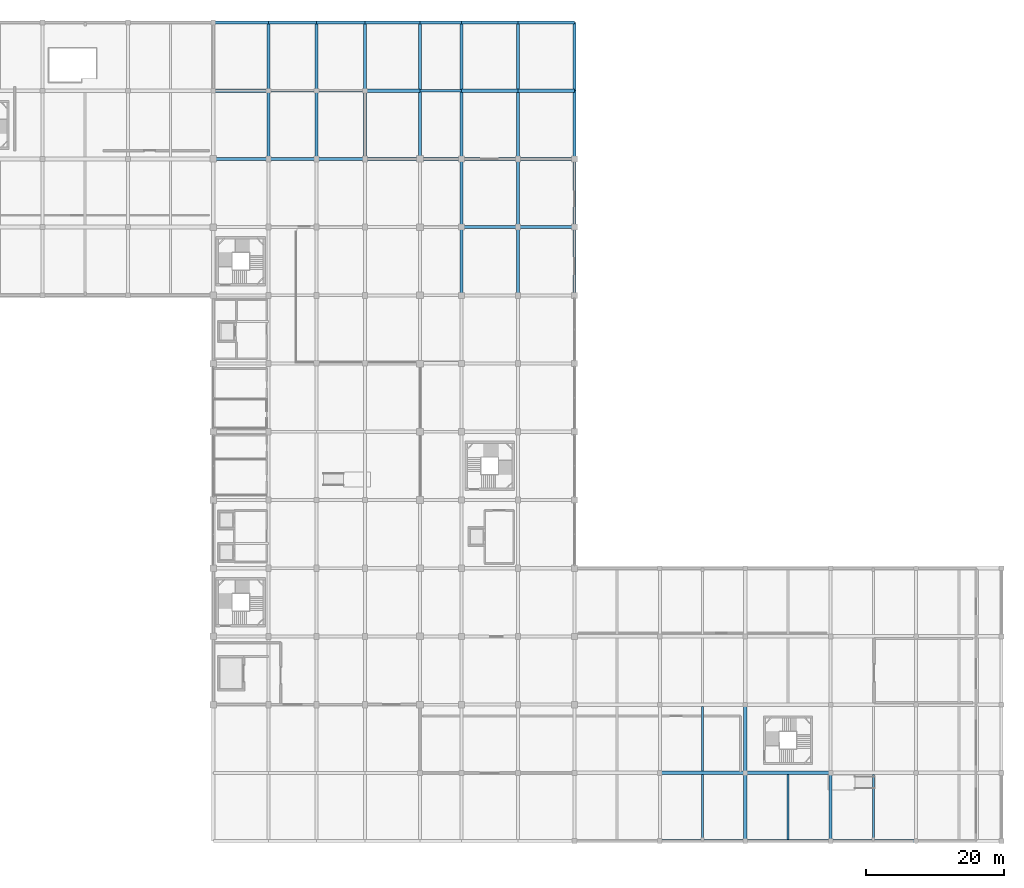
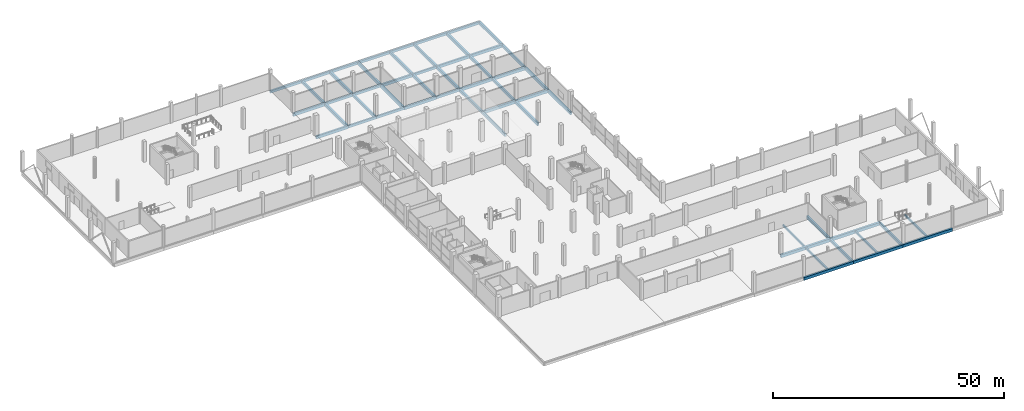
# One storey, part 17 of 50: 55 beams.
"""IFC4 building model written with IfcOpenShell, lengths in metres."""

import ifcopenshell
import ifcopenshell.guid

model = None  # the IFC model being written
_history = None  # IfcOwnerHistory: only IFC2X3 demands one
_inside = {}  # id of a spatial element -> (the spatial element, [elements in it])
_under = {}  # id of a project, library or spatial element -> (it, [spatial elements below it])
_declared = {}  # id of a project -> (the project, [libraries it declares])
_typed = {}  # id of a type object -> (the type object, [elements of that type])
_made_of = {}  # id of a material, layer set ... -> (it, [elements and type objects made of it])


def new_model(schema):
    """Start an empty IFC model of exactly this schema.

    Asked for "IFC4X3", IfcOpenShell would pick the latest addendum, in which some entities
    have other attributes; the version numbers below select the first issue.
    IFC2X3 requires an IfcOwnerHistory on every rooted entity: one is made here for all.
    """
    global model, _history
    if schema == "IFC4X3":
        model = ifcopenshell.file(schema_version=(4, 3, 0, 0))
    else:
        model = ifcopenshell.file(schema=schema)
    _inside.clear()
    _under.clear()
    _declared.clear()
    _typed.clear()
    _made_of.clear()
    _history = None
    if model.schema == "IFC2X3":
        org = make("IfcOrganization", Name="unknown")
        user = make(
            "IfcPersonAndOrganization",
            ThePerson=make("IfcPerson", FamilyName="unknown"),
            TheOrganization=org,
        )
        app = make(
            "IfcApplication",
            ApplicationDeveloper=org,
            Version="unknown",
            ApplicationFullName="unknown",
            ApplicationIdentifier="unknown",
        )
        _history = make(
            "IfcOwnerHistory",
            OwningUser=user,
            OwningApplication=app,
            ChangeAction="ADDED",
            CreationDate=0,
        )
    return model


def make(cls, **values):
    """One entity of the class cls with the attributes given. An attribute that is None is left unset."""
    return model.create_entity(
        cls, **{name: value for name, value in values.items() if value is not None}
    )


def rooted(cls, **values):
    """An entity with a GlobalId (a new one), such as an element, a storey or a relation."""
    return make(cls, GlobalId=ifcopenshell.guid.new(), OwnerHistory=_history, **values)


def si_unit(unit_type, name, prefix=None):
    """IfcSIUnit, for example si_unit("LENGTHUNIT", "METRE", prefix="MILLI")."""
    return make("IfcSIUnit", UnitType=unit_type, Prefix=prefix, Name=name)


def assignment(units):
    """IfcUnitAssignment: the units of a project."""
    return None if units is None else make("IfcUnitAssignment", Units=units)


def point(xyz):
    """IfcCartesianPoint."""
    return None if xyz is None else make("IfcCartesianPoint", Coordinates=xyz)


def direction(xyz):
    """IfcDirection."""
    return None if xyz is None else make("IfcDirection", DirectionRatios=xyz)


def frame(location, z_axis=None, x_axis=None):
    """IfcAxis2Placement3D, a coordinate frame: its origin and axes. An axis left out is left unset."""
    return make(
        "IfcAxis2Placement3D",
        Location=point(location),
        Axis=direction(z_axis),
        RefDirection=direction(x_axis),
    )


def frame_2d(location, x_axis=None):
    """IfcAxis2Placement2D, a coordinate frame in the plane: its origin and x axis."""
    return make(
        "IfcAxis2Placement2D", Location=point(location), RefDirection=direction(x_axis)
    )


def origin():
    """The frame at (0, 0, 0) with its axes left unset."""
    return frame((0.0, 0.0, 0.0))


def origin_2d():
    """The frame at (0, 0) in the plane with its x axis left unset."""
    return frame_2d((0.0, 0.0))


def place(relative_to, where):
    """IfcLocalPlacement: puts the frame where relative to a parent placement (None: the world)."""
    return make(
        "IfcLocalPlacement", PlacementRelTo=relative_to, RelativePlacement=where
    )


def context(
    kind, dimensions, precision=None, world=None, true_north=None, identifier=None
):
    """IfcGeometricRepresentationContext, for example the 3D "Model" context."""
    return make(
        "IfcGeometricRepresentationContext",
        ContextIdentifier=identifier,
        ContextType=kind,
        CoordinateSpaceDimension=dimensions,
        Precision=precision,
        WorldCoordinateSystem=world,
        TrueNorth=true_north,
    )


def subcontext(parent, identifier, kind, view, scale=None):
    """IfcGeometricRepresentationSubContext, for example "Body" below "Model"."""
    return make(
        "IfcGeometricRepresentationSubContext",
        ContextIdentifier=identifier,
        ContextType=kind,
        ParentContext=parent,
        TargetScale=scale,
        TargetView=view,
    )


def project(units=None, contexts=None):
    """IfcProject with its units and contexts."""
    return rooted(
        "IfcProject",
        Name="project",
        RepresentationContexts=contexts,
        UnitsInContext=assignment(units),
    )


def spatial(cls, under=None, at=None, **own):
    """A site, building, storey or space (cls), placed at a placement, below another one or the project."""
    s = rooted(cls, ObjectPlacement=at, **own)
    if under is not None:
        _under.setdefault(under.id(), (under, []))[1].append(s)
    return s


def profile(cls, at=None, kind="AREA", **sizes):
    """A parametric profile (cls). Its sizes go by their IFC names, for example OverallWidth=200.0."""
    return make(cls, ProfileType=kind, Position=at, **sizes)


def rectangle(**sizes):
    """IfcRectangleProfileDef."""
    return profile("IfcRectangleProfileDef", **sizes)


def extrude(swept, where, along, depth):
    """IfcExtrudedAreaSolid: the profile swept, set in the frame where, extruded along a direction by depth."""
    return make(
        "IfcExtrudedAreaSolid",
        SweptArea=swept,
        Position=where,
        ExtrudedDirection=direction(along),
        Depth=depth,
    )


def shape(context_of_items, identifier, shape_type, items):
    """IfcShapeRepresentation: the items that make up one representation, for example the "Body"."""
    return make(
        "IfcShapeRepresentation",
        ContextOfItems=context_of_items,
        RepresentationIdentifier=identifier,
        RepresentationType=shape_type,
        Items=items,
    )


def material(Name=None, Category=None):
    """IfcMaterial."""
    return make("IfcMaterial", Name=Name, Category=Category)


def material_profile(
    of_material, cross_section, Name=None, Category=None, Priority=None
):
    """IfcMaterialProfile: a cross section and its material."""
    return make(
        "IfcMaterialProfile",
        Name=Name,
        Material=of_material,
        Profile=cross_section,
        Priority=Priority,
        Category=Category,
    )


def profile_set(profiles, Name=None, composite=None):
    """IfcMaterialProfileSet."""
    return make(
        "IfcMaterialProfileSet",
        Name=Name,
        MaterialProfiles=profiles,
        CompositeProfile=composite,
    )


def made_of(thing, what):
    """Note that an element or type object is made of a material, layer set ...; save() writes the relation."""
    if what is not None:
        _made_of.setdefault(what.id(), (what, []))[1].append(thing)
    return thing


def type_object(cls, material=None, **own):
    """A type object (cls), such as IfcWallType, which elements share."""
    return made_of(rooted(cls, **own), material)


def element(
    cls,
    number,
    at=None,
    inside=None,
    cuts=None,
    type_object=None,
    material=None,
    context=None,
    identifier="Body",
    shape_type=None,
    held_by="IfcProductDefinitionShape",
    body=None,
    shapes=None,
    **own,
):
    """One element of the class cls, such as IfcWall. Its Tag is "e" and its number.

    at: its placement. inside: the storey or other place that contains it. cuts: it is an
    opening in that element (IfcRelVoidsElement). A single representation is given by context,
    identifier, shape_type and body (its items); several are given by shapes. held_by: the class
    of the entity that holds the representations. save() writes the other relations.
    """
    e = rooted(cls, Tag="e%d" % number, ObjectPlacement=at, **own)
    if body is not None:
        shapes = [shape(context, identifier, shape_type, body)]
    if shapes is not None:
        e.Representation = make(held_by, Representations=shapes)
    if inside is not None:
        _inside.setdefault(inside.id(), (inside, []))[1].append(e)
    if cuts is not None:
        rooted(
            "IfcRelVoidsElement", RelatingBuildingElement=cuts, RelatedOpeningElement=e
        )
    if type_object is not None:
        _typed.setdefault(type_object.id(), (type_object, []))[1].append(e)
    return made_of(e, material)


def aggregate(whole, parts):
    """IfcRelAggregates: a whole, such as a stair, and the parts it consists of."""
    return rooted("IfcRelAggregates", RelatingObject=whole, RelatedObjects=parts)


def save(model, path):
    """Write the relations noted so far, then the file.

    IfcRelAggregates (storeys below a building ...), IfcRelContainedInSpatialStructure (elements
    in a storey), IfcRelDefinesByType, IfcRelAssociatesMaterial and IfcRelDeclares: one each for
    every whole, place, type object, material and project.
    """
    for whole, parts in _under.values():
        aggregate(whole, parts)
    for where, things in _inside.values():
        rooted(
            "IfcRelContainedInSpatialStructure",
            RelatedElements=things,
            RelatingStructure=where,
        )
    for kind, things in _typed.values():
        rooted("IfcRelDefinesByType", RelatedObjects=things, RelatingType=kind)
    for what, things in _made_of.values():
        rooted("IfcRelAssociatesMaterial", RelatedObjects=things, RelatingMaterial=what)
    for by, libraries in _declared.values():
        rooted("IfcRelDeclares", RelatingContext=by, RelatedDefinitions=libraries)
    model.write(path)


model = new_model("IFC4")

# Units and contexts
model_context = context("Model", 3, precision=1e-05, world=origin(), true_north=direction((0.0, 1.0)))
body_context = subcontext(model_context, "Body", "Model", "MODEL_VIEW")
ifc_project = project(units=[si_unit("LENGTHUNIT", "METRE"), si_unit("AREAUNIT", "SQUARE_METRE"), si_unit("VOLUMEUNIT", "CUBIC_METRE"), si_unit("PLANEANGLEUNIT", "RADIAN"), si_unit("MASSUNIT", "GRAM", prefix="KILO")], contexts=[model_context])

# Site, building, storey
site_placement = place(None, origin())
site = spatial("IfcSite", under=ifc_project, at=site_placement, CompositionType="ELEMENT")
building_placement = place(site_placement, origin())
building = spatial("IfcBuilding", under=site, at=building_placement, Name="Sillaruma Civic Art Gallery", CompositionType="ELEMENT")
storey_placement = place(building_placement, origin())
storey = spatial("IfcBuildingStorey", under=building, at=storey_placement, Name="L00", CompositionType="ELEMENT", Elevation=0.0)

# Beams
ifc_material_1 = material(Name="Concrete H35 (35 MPa)", Category="concrete")
ifc_material_profile_1 = material_profile(ifc_material_1, rectangle(XDim=0.39990234375, YDim=0.64990234375, at=origin_2d()), Name="RCB400x650")
ifc_profile_set_1 = profile_set([ifc_material_profile_1], Name="Concrete H35 (35 MPa)")
beam_type_1 = type_object("IfcBeamType", Name="BM-BEAM-RCB400x650", PredefinedType="BEAM", material=ifc_profile_set_1)
for number, where, z_axis, x_axis, name in (
    (1, (70.0, 99.0, -0.625), (1.0, 0.0, 0.0), (0.0, 1.0, 0.0), "Beam BM-05 (B01:11:G-H)"),
    (2, (77.0, 99.0, -0.625), (1.0, 0.0, 0.0), (0.0, 1.0, 0.0), "Beam BM-05 (B01:11:H-J)"),
):
    element("IfcBeam", number, at=place(storey_placement, frame(where, z_axis=z_axis, x_axis=x_axis)), inside=storey, type_object=beam_type_1, Name=name, PredefinedType="BEAM", context=body_context, shape_type="SweptSolid", body=[
        extrude(rectangle(XDim=0.39990234375, YDim=0.64990234375, at=origin_2d()), origin(), (0.0, 0.0, 1.0), 7.0),
    ])
beam_1_placement = place(storey_placement, frame((92.0, 99.0, -0.625), z_axis=(1.0, 0.0, 0.0), x_axis=(0.0, 1.0, 0.0)))
element("IfcBeam", 3, at=beam_1_placement, inside=storey, type_object=beam_type_1, Name="Beam BM-05 (B01:11:K-L)", PredefinedType="BEAM", context=body_context, shape_type="SweptSolid", body=[
    extrude(rectangle(XDim=0.39990234375, YDim=0.64990234375, at=origin_2d()), origin(), (0.0, 0.0, 1.0), 6.0),
])
for number, where, z_axis, x_axis, name in (
    (4, (70.0, 108.89990234375, -0.625), (1.0, 0.0, 0.0), (0.0, 1.0, 0.0), "Beam BM-05 (B01:12:G-H)"),
    (5, (77.0, 108.89990234375, -0.625), (1.0, 0.0, 0.0), (0.0, 1.0, 0.0), "Beam BM-05 (B01:12:H-J)"),
):
    element("IfcBeam", number, at=place(storey_placement, frame(where, z_axis=z_axis, x_axis=x_axis)), inside=storey, type_object=beam_type_1, Name=name, PredefinedType="BEAM", context=body_context, shape_type="SweptSolid", body=[
        extrude(rectangle(XDim=0.39990234375, YDim=0.64990234375, at=origin_2d()), origin(), (0.0, 0.0, 1.0), 7.0),
    ])
beam_2_placement = place(storey_placement, frame((92.0, 108.89990234375, -0.625), z_axis=(1.0, 0.0, 0.0), x_axis=(0.0, 1.0, 0.0)))
element("IfcBeam", 6, at=beam_2_placement, inside=storey, type_object=beam_type_1, Name="Beam BM-05 (B01:12:K-L)", PredefinedType="BEAM", context=body_context, shape_type="SweptSolid", body=[
    extrude(rectangle(XDim=0.39990234375, YDim=0.64990234375, at=origin_2d()), origin(), (0.0, 0.0, 1.0), 6.0),
])
ifc_material_2 = material(Name="Concrete H40 (40 MPa)", Category="concrete")
ifc_material_profile_2 = material_profile(ifc_material_2, rectangle(XDim=0.449951171875, YDim=0.75, at=origin_2d()), Name="RCB450x750")
ifc_profile_set_2 = profile_set([ifc_material_profile_2], Name="Concrete H40 (40 MPa)")
beam_type_2 = type_object("IfcBeamType", Name="BM-BEAM-RCB450x750", PredefinedType="BEAM", material=ifc_profile_set_2)
for number, where, z_axis, x_axis, name in (
    (7, (98.0, 89.10009765625, -0.675048828125), (1.0, 0.0, 0.0), (0.0, 1.0, 0.0), "Beam BM-03 (B01:10:L-M)"),
    (8, (106.199951171875, 89.10009765625, -0.675048828125), (1.0, 0.0, 0.0), (0.0, 1.0, 0.0), "Beam BM-03 (B01:10:M-N)"),
):
    element("IfcBeam", number, at=place(storey_placement, frame(where, z_axis=z_axis, x_axis=x_axis)), inside=storey, type_object=beam_type_2, Name=name, PredefinedType="BEAM", context=body_context, shape_type="SweptSolid", body=[
        extrude(rectangle(XDim=0.449951171875, YDim=0.75, at=origin_2d()), origin(), (0.0, 0.0, 1.0), 8.199951171875),
    ])
for number, where, z_axis, x_axis, name in (
    (9, (62.0, 99.0, -0.675048828125), (1.0, 0.0, 0.0), (0.0, 1.0, 0.0), "Beam BM-03 (B01:11:F-G)"),
    (10, (84.0, 99.0, -0.675048828125), (1.0, 0.0, 0.0), (0.0, 1.0, 0.0), "Beam BM-03 (B01:11:J-K)"),
):
    element("IfcBeam", number, at=place(storey_placement, frame(where, z_axis=z_axis, x_axis=x_axis)), inside=storey, type_object=beam_type_2, Name=name, PredefinedType="BEAM", context=body_context, shape_type="SweptSolid", body=[
        extrude(rectangle(XDim=0.449951171875, YDim=0.75, at=origin_2d()), origin(), (0.0, 0.0, 1.0), 8.0),
    ])
for number, where, z_axis, x_axis, name in (
    (11, (98.0, 99.0, -0.675048828125), (1.0, 0.0, 0.0), (0.0, 1.0, 0.0), "Beam BM-03 (B01:11:L-M)"),
    (12, (106.199951171875, 99.0, -0.675048828125), (1.0, 0.0, 0.0), (0.0, 1.0, 0.0), "Beam BM-03 (B01:11:M-N)"),
):
    element("IfcBeam", number, at=place(storey_placement, frame(where, z_axis=z_axis, x_axis=x_axis)), inside=storey, type_object=beam_type_2, Name=name, PredefinedType="BEAM", context=body_context, shape_type="SweptSolid", body=[
        extrude(rectangle(XDim=0.449951171875, YDim=0.75, at=origin_2d()), origin(), (0.0, 0.0, 1.0), 8.199951171875),
    ])
for number, where, z_axis, x_axis, name in (
    (13, (62.0, 108.89990234375, -0.675048828125), (1.0, 0.0, 0.0), (0.0, 1.0, 0.0), "Beam BM-03 (B01:12:F-G)"),
    (14, (84.0, 108.89990234375, -0.675048828125), (1.0, 0.0, 0.0), (0.0, 1.0, 0.0), "Beam BM-03 (B01:12:J-K)"),
):
    element("IfcBeam", number, at=place(storey_placement, frame(where, z_axis=z_axis, x_axis=x_axis)), inside=storey, type_object=beam_type_2, Name=name, PredefinedType="BEAM", context=body_context, shape_type="SweptSolid", body=[
        extrude(rectangle(XDim=0.449951171875, YDim=0.75, at=origin_2d()), origin(), (0.0, 0.0, 1.0), 8.0),
    ])
for number, where, z_axis, x_axis, name in (
    (15, (98.0, 108.89990234375, -0.675048828125), (1.0, 0.0, 0.0), (0.0, 1.0, 0.0), "Beam BM-03 (B01:12:L-M)"),
    (16, (106.199951171875, 108.89990234375, -0.675048828125), (1.0, 0.0, 0.0), (0.0, 1.0, 0.0), "Beam BM-03 (B01:12:M-N)"),
):
    element("IfcBeam", number, at=place(storey_placement, frame(where, z_axis=z_axis, x_axis=x_axis)), inside=storey, type_object=beam_type_2, Name=name, PredefinedType="BEAM", context=body_context, shape_type="SweptSolid", body=[
        extrude(rectangle(XDim=0.449951171875, YDim=0.75, at=origin_2d()), origin(), (0.0, 0.0, 1.0), 8.199951171875),
    ])
beam_3_placement = place(storey_placement, frame((70.0, 99.0, -0.675048828125), z_axis=(0.0, 1.0, 0.0), x_axis=(-1.0, 0.0, 0.0)))
element("IfcBeam", 17, at=beam_3_placement, inside=storey, type_object=beam_type_2, Name="Beam BM-03 (B01:G:11-12)", PredefinedType="BEAM", context=body_context, shape_type="SweptSolid", body=[
    extrude(rectangle(XDim=0.449951171875, YDim=0.75, at=origin_2d()), origin(), (0.0, 0.0, 1.0), 9.89990234375),
])
beam_4_placement = place(storey_placement, frame((70.0, 108.89990234375, -0.675048828125), z_axis=(0.0, 1.0, 0.0), x_axis=(-1.0, 0.0, 0.0)))
element("IfcBeam", 18, at=beam_4_placement, inside=storey, type_object=beam_type_2, Name="Beam BM-03 (B01:G:12-13)", PredefinedType="BEAM", context=body_context, shape_type="SweptSolid", body=[
    extrude(rectangle(XDim=0.449951171875, YDim=0.75, at=origin_2d()), origin(), (0.0, 0.0, 1.0), 9.900146484375),
])
beam_5_placement = place(storey_placement, frame((77.0, 99.0, -0.675048828125), z_axis=(0.0, 1.0, 0.0), x_axis=(-1.0, 0.0, 0.0)))
element("IfcBeam", 19, at=beam_5_placement, inside=storey, type_object=beam_type_2, Name="Beam BM-03 (B01:H:11-12)", PredefinedType="BEAM", context=body_context, shape_type="SweptSolid", body=[
    extrude(rectangle(XDim=0.449951171875, YDim=0.75, at=origin_2d()), origin(), (0.0, 0.0, 1.0), 9.89990234375),
])
beam_6_placement = place(storey_placement, frame((77.0, 108.89990234375, -0.675048828125), z_axis=(0.0, 1.0, 0.0), x_axis=(-1.0, 0.0, 0.0)))
element("IfcBeam", 20, at=beam_6_placement, inside=storey, type_object=beam_type_2, Name="Beam BM-03 (B01:H:12-13)", PredefinedType="BEAM", context=body_context, shape_type="SweptSolid", body=[
    extrude(rectangle(XDim=0.449951171875, YDim=0.75, at=origin_2d()), origin(), (0.0, 0.0, 1.0), 9.900146484375),
])
beam_7_placement = place(storey_placement, frame((84.0, 99.0, -0.675048828125), z_axis=(0.0, 1.0, 0.0), x_axis=(-1.0, 0.0, 0.0)))
element("IfcBeam", 21, at=beam_7_placement, inside=storey, type_object=beam_type_2, Name="Beam BM-03 (B01:J:11-12)", PredefinedType="BEAM", context=body_context, shape_type="SweptSolid", body=[
    extrude(rectangle(XDim=0.449951171875, YDim=0.75, at=origin_2d()), origin(), (0.0, 0.0, 1.0), 9.89990234375),
])
beam_8_placement = place(storey_placement, frame((84.0, 108.89990234375, -0.675048828125), z_axis=(0.0, 1.0, 0.0), x_axis=(-1.0, 0.0, 0.0)))
element("IfcBeam", 22, at=beam_8_placement, inside=storey, type_object=beam_type_2, Name="Beam BM-03 (B01:J:12-13)", PredefinedType="BEAM", context=body_context, shape_type="SweptSolid", body=[
    extrude(rectangle(XDim=0.449951171875, YDim=0.75, at=origin_2d()), origin(), (0.0, 0.0, 1.0), 9.900146484375),
])
beam_9_placement = place(storey_placement, frame((92.0, 99.0, -0.675048828125), z_axis=(0.0, 1.0, 0.0), x_axis=(-1.0, 0.0, 0.0)))
element("IfcBeam", 23, at=beam_9_placement, inside=storey, type_object=beam_type_2, Name="Beam BM-03 (B01:K:11-12)", PredefinedType="BEAM", context=body_context, shape_type="SweptSolid", body=[
    extrude(rectangle(XDim=0.449951171875, YDim=0.75, at=origin_2d()), origin(), (0.0, 0.0, 1.0), 9.89990234375),
])
for number, where, z_axis, x_axis, name in (
    (24, (92.0, 108.89990234375, -0.675048828125), (0.0, 1.0, 0.0), (-1.0, 0.0, 0.0), "Beam BM-03 (B01:K:12-13)"),
    (25, (98.0, 79.199951171875, -0.675048828125), (0.0, 1.0, 0.0), (-1.0, 0.0, 0.0), "Beam BM-03 (B01:L:9-10)"),
):
    element("IfcBeam", number, at=place(storey_placement, frame(where, z_axis=z_axis, x_axis=x_axis)), inside=storey, type_object=beam_type_2, Name=name, PredefinedType="BEAM", context=body_context, shape_type="SweptSolid", body=[
        extrude(rectangle(XDim=0.449951171875, YDim=0.75, at=origin_2d()), origin(), (0.0, 0.0, 1.0), 9.900146484375),
    ])
for number, where, z_axis, x_axis, name in (
    (26, (98.0, 89.10009765625, -0.675048828125), (0.0, 1.0, 0.0), (-1.0, 0.0, 0.0), "Beam BM-03 (B01:L:10-11)"),
    (27, (98.0, 99.0, -0.675048828125), (0.0, 1.0, 0.0), (-1.0, 0.0, 0.0), "Beam BM-03 (B01:L:11-12)"),
):
    element("IfcBeam", number, at=place(storey_placement, frame(where, z_axis=z_axis, x_axis=x_axis)), inside=storey, type_object=beam_type_2, Name=name, PredefinedType="BEAM", context=body_context, shape_type="SweptSolid", body=[
        extrude(rectangle(XDim=0.449951171875, YDim=0.75, at=origin_2d()), origin(), (0.0, 0.0, 1.0), 9.89990234375),
    ])
for number, where, z_axis, x_axis, name in (
    (28, (98.0, 108.89990234375, -0.675048828125), (0.0, 1.0, 0.0), (-1.0, 0.0, 0.0), "Beam BM-03 (B01:L:12-13)"),
    (29, (106.199951171875, 79.199951171875, -0.675048828125), (0.0, 1.0, 0.0), (-1.0, 0.0, 0.0), "Beam BM-03 (B01:M:9-10)"),
):
    element("IfcBeam", number, at=place(storey_placement, frame(where, z_axis=z_axis, x_axis=x_axis)), inside=storey, type_object=beam_type_2, Name=name, PredefinedType="BEAM", context=body_context, shape_type="SweptSolid", body=[
        extrude(rectangle(XDim=0.449951171875, YDim=0.75, at=origin_2d()), origin(), (0.0, 0.0, 1.0), 9.900146484375),
    ])
for number, where, z_axis, x_axis, name in (
    (30, (106.199951171875, 89.10009765625, -0.675048828125), (0.0, 1.0, 0.0), (-1.0, 0.0, 0.0), "Beam BM-03 (B01:M:10-11)"),
    (31, (106.199951171875, 99.0, -0.675048828125), (0.0, 1.0, 0.0), (-1.0, 0.0, 0.0), "Beam BM-03 (B01:M:11-12)"),
):
    element("IfcBeam", number, at=place(storey_placement, frame(where, z_axis=z_axis, x_axis=x_axis)), inside=storey, type_object=beam_type_2, Name=name, PredefinedType="BEAM", context=body_context, shape_type="SweptSolid", body=[
        extrude(rectangle(XDim=0.449951171875, YDim=0.75, at=origin_2d()), origin(), (0.0, 0.0, 1.0), 9.89990234375),
    ])
for number, where, z_axis, x_axis, name in (
    (32, (106.199951171875, 108.89990234375, -0.675048828125), (0.0, 1.0, 0.0), (-1.0, 0.0, 0.0), "Beam BM-03 (B01:M:12-13)"),
    (33, (114.39990234375, 79.199951171875, -0.675048828125), (0.0, 1.0, 0.0), (-1.0, 0.0, 0.0), "Beam BM-03 (B01:N:9-10)"),
):
    element("IfcBeam", number, at=place(storey_placement, frame(where, z_axis=z_axis, x_axis=x_axis)), inside=storey, type_object=beam_type_2, Name=name, PredefinedType="BEAM", context=body_context, shape_type="SweptSolid", body=[
        extrude(rectangle(XDim=0.449951171875, YDim=0.75, at=origin_2d()), origin(), (0.0, 0.0, 1.0), 9.900146484375),
    ])
for number, where, z_axis, x_axis, name in (
    (34, (114.39990234375, 89.10009765625, -0.675048828125), (0.0, 1.0, 0.0), (-1.0, 0.0, 0.0), "Beam BM-03 (B01:N:10-11)"),
    (35, (114.39990234375, 99.0, -0.675048828125), (0.0, 1.0, 0.0), (-1.0, 0.0, 0.0), "Beam BM-03 (B01:N:11-12)"),
):
    element("IfcBeam", number, at=place(storey_placement, frame(where, z_axis=z_axis, x_axis=x_axis)), inside=storey, type_object=beam_type_2, Name=name, PredefinedType="BEAM", context=body_context, shape_type="SweptSolid", body=[
        extrude(rectangle(XDim=0.449951171875, YDim=0.75, at=origin_2d()), origin(), (0.0, 0.0, 1.0), 9.89990234375),
    ])
beam_10_placement = place(storey_placement, frame((114.39990234375, 108.89990234375, -0.675048828125), z_axis=(0.0, 1.0, 0.0), x_axis=(-1.0, 0.0, 0.0)))
element("IfcBeam", 36, at=beam_10_placement, inside=storey, type_object=beam_type_2, Name="Beam BM-03 (B01:N:12-13)", PredefinedType="BEAM", context=body_context, shape_type="SweptSolid", body=[
    extrude(rectangle(XDim=0.449951171875, YDim=0.75, at=origin_2d()), origin(), (0.0, 0.0, 1.0), 9.900146484375),
])
beam_11_placement = place(storey_placement, frame((139.199951171875, 0.0, -0.675048828125), z_axis=(0.0, 1.0, 0.0), x_axis=(-1.0, 0.0, 0.0)))
element("IfcBeam", 37, at=beam_11_placement, inside=storey, type_object=beam_type_2, Name="Beam BM-03 (B01:Q:1-2)", PredefinedType="BEAM", context=body_context, shape_type="SweptSolid", body=[
    extrude(rectangle(XDim=0.449951171875, YDim=0.75, at=origin_2d()), origin(), (0.0, 0.0, 1.0), 9.89990234375),
])
beam_12_placement = place(storey_placement, frame((139.199951171875, 9.89990234375, -0.675048828125), z_axis=(0.0, 1.0, 0.0), x_axis=(-1.0, 0.0, 0.0)))
element("IfcBeam", 38, at=beam_12_placement, inside=storey, type_object=beam_type_2, Name="Beam BM-03 (B01:Q:2-3)", PredefinedType="BEAM", context=body_context, shape_type="SweptSolid", body=[
    extrude(rectangle(XDim=0.449951171875, YDim=0.75, at=origin_2d()), origin(), (0.0, 0.0, 1.0), 9.900146484375),
])
beam_13_placement = place(storey_placement, frame((151.60009765625, 0.0, -0.675048828125), z_axis=(0.0, 1.0, 0.0), x_axis=(-1.0, 0.0, 0.0)))
element("IfcBeam", 39, at=beam_13_placement, inside=storey, type_object=beam_type_2, Name="Beam BM-03 (B01:R:1-2)", PredefinedType="BEAM", context=body_context, shape_type="SweptSolid", body=[
    extrude(rectangle(XDim=0.449951171875, YDim=0.75, at=origin_2d()), origin(), (0.0, 0.0, 1.0), 9.89990234375),
])
ifc_material_profile_3 = material_profile(ifc_material_1, rectangle(XDim=0.300048828125, YDim=0.52001953125, at=origin_2d()), Name="RCB300x520")
ifc_profile_set_3 = profile_set([ifc_material_profile_3], Name="Concrete H35 (35 MPa)")
beam_type_3 = type_object("IfcBeamType", Name="BM-JOIST-RCB300x520", PredefinedType="JOIST", material=ifc_profile_set_3)
for number, where, z_axis, x_axis, name in (
    (40, (133.0, 0.22509765625, -0.56005859375), (0.0, 1.0, 0.0), (-1.0, 0.0, 0.0), "Floor Joist JR-01 (B01:PQ:1-2)"),
    (41, (145.39990234375, 0.22509765625, -0.56005859375), (0.0, 1.0, 0.0), (-1.0, 0.0, 0.0), "Floor Joist JR-01 (B01:QR:1-2)"),
    (42, (157.800048828125, 0.22509765625, -0.56005859375), (0.0, 1.0, 0.0), (-1.0, 0.0, 0.0), "Floor Joist JR-01 (B01:RS:1-2)"),
):
    element("IfcBeam", number, at=place(storey_placement, frame(where, z_axis=z_axis, x_axis=x_axis)), inside=storey, type_object=beam_type_3, Name=name, PredefinedType="JOIST", context=body_context, shape_type="SweptSolid", body=[
        extrude(rectangle(XDim=0.300048828125, YDim=0.52001953125, at=origin_2d()), origin(), (0.0, 0.0, 1.0), 9.414794921875),
    ])
beam_14_placement = place(storey_placement, frame((133.0, 10.159912109375, -0.56005859375), z_axis=(0.0, 1.0, 0.0), x_axis=(-1.0, 0.0, 0.0)))
element("IfcBeam", 43, at=beam_14_placement, inside=storey, type_object=beam_type_3, Name="Floor Joist JR-01 (B01:PQ:2-3)", PredefinedType="JOIST", context=body_context, shape_type="SweptSolid", body=[
    extrude(rectangle(XDim=0.300048828125, YDim=0.52001953125, at=origin_2d()), origin(), (0.0, 0.0, 1.0), 9.380126953125),
])
ifc_material_profile_4 = material_profile(ifc_material_1, rectangle(XDim=0.39990234375, YDim=0.64990234375, at=origin_2d()), Name="RCB400x650")
ifc_profile_set_4 = profile_set([ifc_material_profile_4], Name="Concrete H35 (35 MPa)")
beam_type_4 = type_object("IfcBeamType", Name="BM-SPANDREL-RCB400x650", PredefinedType="SPANDREL", material=ifc_profile_set_4)
beam_15_placement = place(storey_placement, frame((62.0, 118.800048828125, -0.625), z_axis=(1.0, 0.0, 0.0), x_axis=(0.0, 1.0, 0.0)))
element("IfcBeam", 44, at=beam_15_placement, inside=storey, type_object=beam_type_4, Name="Beam BS-02 (B01:13:F-G)", PredefinedType="SPANDREL", context=body_context, shape_type="SweptSolid", body=[
    extrude(rectangle(XDim=0.39990234375, YDim=0.64990234375, at=origin_2d()), origin(), (0.0, 0.0, 1.0), 8.0),
])
for number, where, z_axis, x_axis, name in (
    (45, (70.0, 118.800048828125, -0.625), (1.0, 0.0, 0.0), (0.0, 1.0, 0.0), "Beam BS-02 (B01:13:G-H)"),
    (46, (77.0, 118.800048828125, -0.625), (1.0, 0.0, 0.0), (0.0, 1.0, 0.0), "Beam BS-02 (B01:13:H-J)"),
):
    element("IfcBeam", number, at=place(storey_placement, frame(where, z_axis=z_axis, x_axis=x_axis)), inside=storey, type_object=beam_type_4, Name=name, PredefinedType="SPANDREL", context=body_context, shape_type="SweptSolid", body=[
        extrude(rectangle(XDim=0.39990234375, YDim=0.64990234375, at=origin_2d()), origin(), (0.0, 0.0, 1.0), 7.0),
    ])
beam_16_placement = place(storey_placement, frame((84.0, 118.800048828125, -0.625), z_axis=(1.0, 0.0, 0.0), x_axis=(0.0, 1.0, 0.0)))
element("IfcBeam", 47, at=beam_16_placement, inside=storey, type_object=beam_type_4, Name="Beam BS-02 (B01:13:J-K)", PredefinedType="SPANDREL", context=body_context, shape_type="SweptSolid", body=[
    extrude(rectangle(XDim=0.39990234375, YDim=0.64990234375, at=origin_2d()), origin(), (0.0, 0.0, 1.0), 8.0),
])
beam_17_placement = place(storey_placement, frame((92.0, 118.800048828125, -0.625), z_axis=(1.0, 0.0, 0.0), x_axis=(0.0, 1.0, 0.0)))
element("IfcBeam", 48, at=beam_17_placement, inside=storey, type_object=beam_type_4, Name="Beam BS-02 (B01:13:K-L)", PredefinedType="SPANDREL", context=body_context, shape_type="SweptSolid", body=[
    extrude(rectangle(XDim=0.39990234375, YDim=0.64990234375, at=origin_2d()), origin(), (0.0, 0.0, 1.0), 6.0),
])
for number, where, z_axis, x_axis, name in (
    (49, (98.0, 118.800048828125, -0.625), (1.0, 0.0, 0.0), (0.0, 1.0, 0.0), "Beam BS-02 (B01:13:L-M)"),
    (50, (106.199951171875, 118.800048828125, -0.625), (1.0, 0.0, 0.0), (0.0, 1.0, 0.0), "Beam BS-02 (B01:13:M-N)"),
):
    element("IfcBeam", number, at=place(storey_placement, frame(where, z_axis=z_axis, x_axis=x_axis)), inside=storey, type_object=beam_type_4, Name=name, PredefinedType="SPANDREL", context=body_context, shape_type="SweptSolid", body=[
        extrude(rectangle(XDim=0.39990234375, YDim=0.64990234375, at=origin_2d()), origin(), (0.0, 0.0, 1.0), 8.199951171875),
    ])
ifc_material_profile_5 = material_profile(ifc_material_2, rectangle(XDim=0.449951171875, YDim=0.75, at=origin_2d()), Name="RCB450x750")
ifc_profile_set_5 = profile_set([ifc_material_profile_5], Name="Concrete H40 (40 MPa)")
beam_type_5 = type_object("IfcBeamType", Name="BM-SPANDREL-RCB450x750", PredefinedType="SPANDREL", material=ifc_profile_set_5)
beam_18_placement = place(storey_placement, frame((126.800048828125, 0.0, -0.675048828125), z_axis=(1.0, 0.0, 0.0), x_axis=(0.0, 1.0, 0.0)))
element("IfcBeam", 51, at=beam_18_placement, inside=storey, type_object=beam_type_5, Name="Beam BS-01 (B01:1:P-Q)", PredefinedType="SPANDREL", context=body_context, shape_type="SweptSolid", body=[
    extrude(rectangle(XDim=0.449951171875, YDim=0.75, at=origin_2d()), origin(), (0.0, 0.0, 1.0), 12.39990234375),
])
beam_19_placement = place(storey_placement, frame((139.199951171875, 0.0, -0.675048828125), z_axis=(1.0, 0.0, 0.0), x_axis=(0.0, 1.0, 0.0)))
element("IfcBeam", 52, at=beam_19_placement, inside=storey, type_object=beam_type_5, Name="Beam BS-01 (B01:1:Q-R)", PredefinedType="SPANDREL", context=body_context, shape_type="SweptSolid", body=[
    extrude(rectangle(XDim=0.449951171875, YDim=0.75, at=origin_2d()), origin(), (0.0, 0.0, 1.0), 12.400146484375),
])
beam_20_placement = place(storey_placement, frame((151.60009765625, 0.0, -0.675048828125), z_axis=(1.0, 0.0, 0.0), x_axis=(0.0, 1.0, 0.0)))
element("IfcBeam", 53, at=beam_20_placement, inside=storey, type_object=beam_type_5, Name="Beam BS-01 (B01:1:R-S)", PredefinedType="SPANDREL", context=body_context, shape_type="SweptSolid", body=[
    extrude(rectangle(XDim=0.449951171875, YDim=0.75, at=origin_2d()), origin(), (0.0, 0.0, 1.0), 12.39990234375),
])
ifc_material_profile_6 = material_profile(ifc_material_2, rectangle(XDim=0.52001953125, YDim=0.780029296875, at=origin_2d()), Name="RCT520x780")
ifc_profile_set_6 = profile_set([ifc_material_profile_6], Name="Concrete H40 (40 MPa)")
beam_type_6 = type_object("IfcBeamType", Name="BM-T_BEAM-RCT520x780", PredefinedType="T_BEAM", material=ifc_profile_set_6)
beam_21_placement = place(storey_placement, frame((126.800048828125, 9.89990234375, -0.68994140625), z_axis=(1.0, 0.0, 0.0), x_axis=(0.0, 1.0, 0.0)))
element("IfcBeam", 54, at=beam_21_placement, inside=storey, type_object=beam_type_6, Name="Beam BT-01 (B01:2:P-Q)", PredefinedType="T_BEAM", context=body_context, shape_type="SweptSolid", body=[
    extrude(rectangle(XDim=0.52001953125, YDim=0.780029296875, at=origin_2d()), origin(), (0.0, 0.0, 1.0), 12.39990234375),
])
beam_22_placement = place(storey_placement, frame((139.199951171875, 9.89990234375, -0.68994140625), z_axis=(1.0, 0.0, 0.0), x_axis=(0.0, 1.0, 0.0)))
element("IfcBeam", 55, at=beam_22_placement, inside=storey, type_object=beam_type_6, Name="Beam BT-01 (B01:2:Q-R)", PredefinedType="T_BEAM", context=body_context, shape_type="SweptSolid", body=[
    extrude(rectangle(XDim=0.52001953125, YDim=0.780029296875, at=origin_2d()), origin(), (0.0, 0.0, 1.0), 12.400146484375),
])

save(model, "model.ifc")
